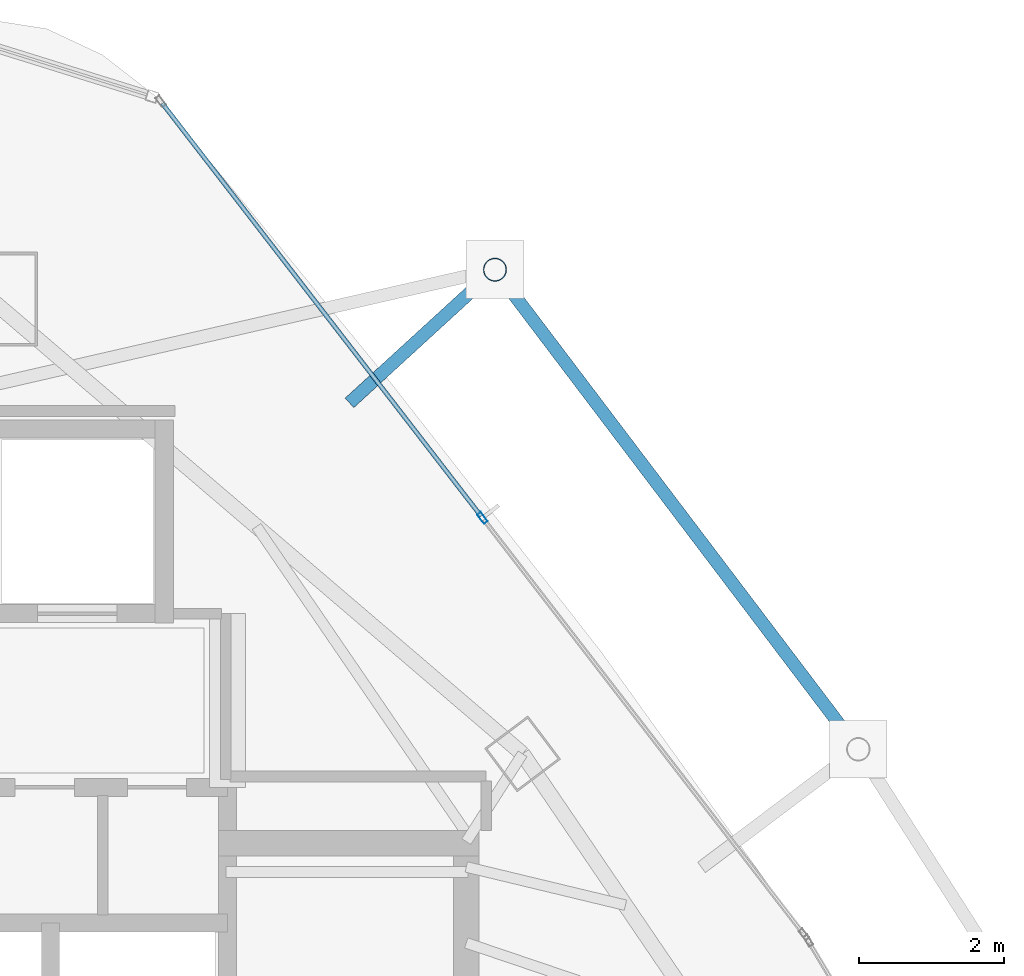
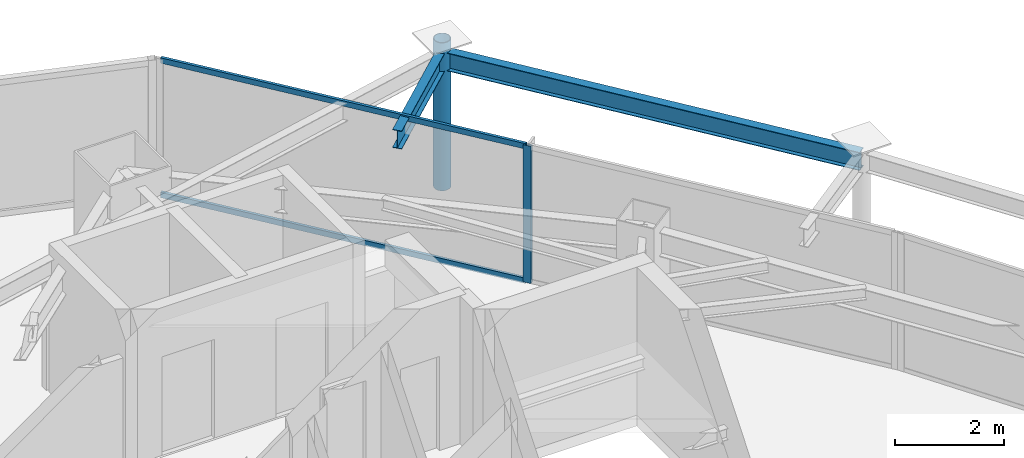
# One storey, part 22 of 29: 4 members, 2 beams, 1 element without a shape of its own.
"""IFC4 building model written with IfcOpenShell, lengths in metres."""

import ifcopenshell
import ifcopenshell.guid

model = None  # the IFC model being written
_history = None  # IfcOwnerHistory: only IFC2X3 demands one
_inside = {}  # id of a spatial element -> (the spatial element, [elements in it])
_under = {}  # id of a project, library or spatial element -> (it, [spatial elements below it])
_declared = {}  # id of a project -> (the project, [libraries it declares])
_typed = {}  # id of a type object -> (the type object, [elements of that type])
_made_of = {}  # id of a material, layer set ... -> (it, [elements and type objects made of it])


def new_model(schema):
    """Start an empty IFC model of exactly this schema.

    Asked for "IFC4X3", IfcOpenShell would pick the latest addendum, in which some entities
    have other attributes; the version numbers below select the first issue.
    IFC2X3 requires an IfcOwnerHistory on every rooted entity: one is made here for all.
    """
    global model, _history
    if schema == "IFC4X3":
        model = ifcopenshell.file(schema_version=(4, 3, 0, 0))
    else:
        model = ifcopenshell.file(schema=schema)
    _inside.clear()
    _under.clear()
    _declared.clear()
    _typed.clear()
    _made_of.clear()
    _history = None
    if model.schema == "IFC2X3":
        org = make("IfcOrganization", Name="unknown")
        user = make(
            "IfcPersonAndOrganization",
            ThePerson=make("IfcPerson", FamilyName="unknown"),
            TheOrganization=org,
        )
        app = make(
            "IfcApplication",
            ApplicationDeveloper=org,
            Version="unknown",
            ApplicationFullName="unknown",
            ApplicationIdentifier="unknown",
        )
        _history = make(
            "IfcOwnerHistory",
            OwningUser=user,
            OwningApplication=app,
            ChangeAction="ADDED",
            CreationDate=0,
        )
    return model


def make(cls, **values):
    """One entity of the class cls with the attributes given. An attribute that is None is left unset."""
    return model.create_entity(
        cls, **{name: value for name, value in values.items() if value is not None}
    )


def rooted(cls, **values):
    """An entity with a GlobalId (a new one), such as an element, a storey or a relation."""
    return make(cls, GlobalId=ifcopenshell.guid.new(), OwnerHistory=_history, **values)


def si_unit(unit_type, name, prefix=None):
    """IfcSIUnit, for example si_unit("LENGTHUNIT", "METRE", prefix="MILLI")."""
    return make("IfcSIUnit", UnitType=unit_type, Prefix=prefix, Name=name)


def assignment(units):
    """IfcUnitAssignment: the units of a project."""
    return None if units is None else make("IfcUnitAssignment", Units=units)


def point(xyz):
    """IfcCartesianPoint."""
    return None if xyz is None else make("IfcCartesianPoint", Coordinates=xyz)


def direction(xyz):
    """IfcDirection."""
    return None if xyz is None else make("IfcDirection", DirectionRatios=xyz)


def frame(location, z_axis=None, x_axis=None):
    """IfcAxis2Placement3D, a coordinate frame: its origin and axes. An axis left out is left unset."""
    return make(
        "IfcAxis2Placement3D",
        Location=point(location),
        Axis=direction(z_axis),
        RefDirection=direction(x_axis),
    )


def frame_2d(location, x_axis=None):
    """IfcAxis2Placement2D, a coordinate frame in the plane: its origin and x axis."""
    return make(
        "IfcAxis2Placement2D", Location=point(location), RefDirection=direction(x_axis)
    )


def origin():
    """The frame at (0, 0, 0) with its axes left unset."""
    return frame((0.0, 0.0, 0.0))


def origin_2d():
    """The frame at (0, 0) in the plane with its x axis left unset."""
    return frame_2d((0.0, 0.0))


def place(relative_to, where):
    """IfcLocalPlacement: puts the frame where relative to a parent placement (None: the world)."""
    return make(
        "IfcLocalPlacement", PlacementRelTo=relative_to, RelativePlacement=where
    )


def context(
    kind, dimensions, precision=None, world=None, true_north=None, identifier=None
):
    """IfcGeometricRepresentationContext, for example the 3D "Model" context."""
    return make(
        "IfcGeometricRepresentationContext",
        ContextIdentifier=identifier,
        ContextType=kind,
        CoordinateSpaceDimension=dimensions,
        Precision=precision,
        WorldCoordinateSystem=world,
        TrueNorth=true_north,
    )


def subcontext(parent, identifier, kind, view, scale=None):
    """IfcGeometricRepresentationSubContext, for example "Body" below "Model"."""
    return make(
        "IfcGeometricRepresentationSubContext",
        ContextIdentifier=identifier,
        ContextType=kind,
        ParentContext=parent,
        TargetScale=scale,
        TargetView=view,
    )


def project(units=None, contexts=None):
    """IfcProject with its units and contexts."""
    return rooted(
        "IfcProject",
        Name="project",
        RepresentationContexts=contexts,
        UnitsInContext=assignment(units),
    )


def spatial(cls, under=None, at=None, **own):
    """A site, building, storey or space (cls), placed at a placement, below another one or the project."""
    s = rooted(cls, ObjectPlacement=at, **own)
    if under is not None:
        _under.setdefault(under.id(), (under, []))[1].append(s)
    return s


def profile(cls, at=None, kind="AREA", **sizes):
    """A parametric profile (cls). Its sizes go by their IFC names, for example OverallWidth=200.0."""
    return make(cls, ProfileType=kind, Position=at, **sizes)


def hollow_rectangle(**sizes):
    """IfcRectangleHollowProfileDef."""
    return profile("IfcRectangleHollowProfileDef", **sizes)


def hollow_circle(**sizes):
    """IfcCircleHollowProfileDef."""
    return profile("IfcCircleHollowProfileDef", **sizes)


def i_section(**sizes):
    """IfcIShapeProfileDef."""
    return profile("IfcIShapeProfileDef", **sizes)


def extrude(swept, where, along, depth):
    """IfcExtrudedAreaSolid: the profile swept, set in the frame where, extruded along a direction by depth."""
    return make(
        "IfcExtrudedAreaSolid",
        SweptArea=swept,
        Position=where,
        ExtrudedDirection=direction(along),
        Depth=depth,
    )


def shape(context_of_items, identifier, shape_type, items):
    """IfcShapeRepresentation: the items that make up one representation, for example the "Body"."""
    return make(
        "IfcShapeRepresentation",
        ContextOfItems=context_of_items,
        RepresentationIdentifier=identifier,
        RepresentationType=shape_type,
        Items=items,
    )


def material(Name=None, Category=None):
    """IfcMaterial."""
    return make("IfcMaterial", Name=Name, Category=Category)


def layer(
    of_material, thickness, ventilated=None, Name=None, Category=None, Priority=None
):
    """IfcMaterialLayer: one layer of a wall or slab, of a material (None: an air gap)."""
    return make(
        "IfcMaterialLayer",
        Material=of_material,
        LayerThickness=thickness,
        IsVentilated=ventilated,
        Name=Name,
        Category=Category,
        Priority=Priority,
    )


def layer_set(layers, Name=None):
    """IfcMaterialLayerSet."""
    return make("IfcMaterialLayerSet", MaterialLayers=layers, LayerSetName=Name)


def material_profile(
    of_material, cross_section, Name=None, Category=None, Priority=None
):
    """IfcMaterialProfile: a cross section and its material."""
    return make(
        "IfcMaterialProfile",
        Name=Name,
        Material=of_material,
        Profile=cross_section,
        Priority=Priority,
        Category=Category,
    )


def profile_set(profiles, Name=None, composite=None):
    """IfcMaterialProfileSet."""
    return make(
        "IfcMaterialProfileSet",
        Name=Name,
        MaterialProfiles=profiles,
        CompositeProfile=composite,
    )


def made_of(thing, what):
    """Note that an element or type object is made of a material, layer set ...; save() writes the relation."""
    if what is not None:
        _made_of.setdefault(what.id(), (what, []))[1].append(thing)
    return thing


def type_object(cls, material=None, **own):
    """A type object (cls), such as IfcWallType, which elements share."""
    return made_of(rooted(cls, **own), material)


def element(
    cls,
    number,
    at=None,
    inside=None,
    cuts=None,
    type_object=None,
    material=None,
    context=None,
    identifier="Body",
    shape_type=None,
    held_by="IfcProductDefinitionShape",
    body=None,
    shapes=None,
    **own,
):
    """One element of the class cls, such as IfcWall. Its Tag is "e" and its number.

    at: its placement. inside: the storey or other place that contains it. cuts: it is an
    opening in that element (IfcRelVoidsElement). A single representation is given by context,
    identifier, shape_type and body (its items); several are given by shapes. held_by: the class
    of the entity that holds the representations. save() writes the other relations.
    """
    e = rooted(cls, Tag="e%d" % number, ObjectPlacement=at, **own)
    if body is not None:
        shapes = [shape(context, identifier, shape_type, body)]
    if shapes is not None:
        e.Representation = make(held_by, Representations=shapes)
    if inside is not None:
        _inside.setdefault(inside.id(), (inside, []))[1].append(e)
    if cuts is not None:
        rooted(
            "IfcRelVoidsElement", RelatingBuildingElement=cuts, RelatedOpeningElement=e
        )
    if type_object is not None:
        _typed.setdefault(type_object.id(), (type_object, []))[1].append(e)
    return made_of(e, material)


def aggregate(whole, parts):
    """IfcRelAggregates: a whole, such as a stair, and the parts it consists of."""
    return rooted("IfcRelAggregates", RelatingObject=whole, RelatedObjects=parts)


def save(model, path):
    """Write the relations noted so far, then the file.

    IfcRelAggregates (storeys below a building ...), IfcRelContainedInSpatialStructure (elements
    in a storey), IfcRelDefinesByType, IfcRelAssociatesMaterial and IfcRelDeclares: one each for
    every whole, place, type object, material and project.
    """
    for whole, parts in _under.values():
        aggregate(whole, parts)
    for where, things in _inside.values():
        rooted(
            "IfcRelContainedInSpatialStructure",
            RelatedElements=things,
            RelatingStructure=where,
        )
    for kind, things in _typed.values():
        rooted("IfcRelDefinesByType", RelatedObjects=things, RelatingType=kind)
    for what, things in _made_of.values():
        rooted("IfcRelAssociatesMaterial", RelatedObjects=things, RelatingMaterial=what)
    for by, libraries in _declared.values():
        rooted("IfcRelDeclares", RelatingContext=by, RelatedDefinitions=libraries)
    model.write(path)


model = new_model("IFC4")

# Units and contexts
model_context = context("Model", 3, precision=1e-05, world=origin(), true_north=direction((0.0, 1.0)))
body_context = subcontext(model_context, "Body", "Model", "MODEL_VIEW")
ifc_project = project(units=[si_unit("LENGTHUNIT", "METRE"), si_unit("AREAUNIT", "SQUARE_METRE"), si_unit("VOLUMEUNIT", "CUBIC_METRE"), si_unit("PLANEANGLEUNIT", "RADIAN"), si_unit("MASSUNIT", "GRAM", prefix="KILO")], contexts=[model_context])

# Site, building, storey
site_placement = place(None, origin())
site = spatial("IfcSite", under=ifc_project, at=site_placement, CompositionType="ELEMENT")
building_placement = place(site_placement, origin())
building = spatial("IfcBuilding", under=site, at=building_placement, Name="Orvanel Arch Residences", CompositionType="ELEMENT")
storey_placement = place(building_placement, frame((0.0, 0.0, 246.949951171875)))
storey = spatial("IfcBuildingStorey", under=building, at=storey_placement, Name="L70", CompositionType="ELEMENT", Elevation=246.949951171875)

# Curtain wall, member
ifc_material_1 = material(Name="Bronze-anodised aluminium AA6063-T6", Category="aluminium")
ifc_layer = layer(ifc_material_1, 0.175048828125)
ifc_layer_set = layer_set([ifc_layer], Name="Bronze-anodised aluminium AA6063-T6")
curtain_wall_type = type_object("IfcCurtainWallType", Name="CW4-HI-SYS", PredefinedType="NOTDEFINED", material=ifc_layer_set)
curtain_wall_placement = place(storey_placement, origin())
curtain_wall = element("IfcCurtainWall", 1, at=curtain_wall_placement, inside=storey, type_object=curtain_wall_type, Name="L70 CW4-HI-SYS Unitised Curtain Wall", PredefinedType="NOTDEFINED")
ifc_material_profile_1 = material_profile(ifc_material_1, hollow_rectangle(XDim=0.06494140625, YDim=0.159912109375, WallThickness=0.00390625, at=origin_2d()), Name="ALU160x65x4")
ifc_profile_set_1 = profile_set([ifc_material_profile_1], Name="Bronze-anodised aluminium AA6063-T6")
member_type_1 = type_object("IfcMemberType", Name="MUL-160x65", PredefinedType="MULLION", material=ifc_profile_set_1)
member_1_placement = place(storey_placement, frame((39.798095703125, 38.3740234375, 0.0), z_axis=(0.0, 0.0, 1.0), x_axis=(-0.791477630276, -0.611198135446, 0.0)))
member_1 = element("IfcMember", 2, at=member_1_placement, type_object=member_type_1, Name="CW-S4 mullion 2", PredefinedType="MULLION", context=body_context, shape_type="SweptSolid", body=[
    extrude(hollow_rectangle(XDim=0.06494140625, YDim=0.159912109375, WallThickness=0.00390625, at=origin_2d()), origin(), (0.0, 0.0, 1.0), 3.06005859375),
])

# Beams
ifc_material_2 = material(Name="Structural steel AS/NZS 3679.1 Grade 300 (300 MPa)", Category="steel")
ifc_material_profile_2 = material_profile(ifc_material_2, i_section(OverallWidth=0.177978515625, OverallDepth=0.406005859375, WebThickness=0.0078125, FlangeThickness=0.0126953125, at=origin_2d()), Name="410UB59.7")
ifc_profile_set_2 = profile_set([ifc_material_profile_2], Name="Structural steel AS/NZS 3679.1 Grade 300 (300 MPa)")
beam_type = type_object("IfcBeamType", Name="OB-410UB-EXT", PredefinedType="SPANDREL", material=ifc_profile_set_2)
beam_1_placement = place(storey_placement, frame((44.992919921875, 35.176025390625, 2.85693359375), z_axis=(-0.60386334005, 0.797087866263, 0.0), x_axis=(-0.797087866263, -0.60386334005, 0.0)))
element("IfcBeam", 3, at=beam_1_placement, inside=storey, type_object=beam_type, Name="L70 Outer Perimeter Floor Ring Beam 11", PredefinedType="SPANDREL", context=body_context, shape_type="SweptSolid", body=[
    extrude(i_section(OverallWidth=0.177978515625, OverallDepth=0.406005859375, WebThickness=0.0078125, FlangeThickness=0.0126953125, at=origin_2d()), origin(), (0.0, 0.0, 1.0), 8.31640625),
])
beam_2_placement = place(storey_placement, frame((37.9599609375, 39.964111328125, 2.85693359375), z_axis=(0.737626042593, 0.675209464751, 0.0), x_axis=(-0.675209464751, 0.737626042593, 0.0)))
element("IfcBeam", 4, at=beam_2_placement, inside=storey, type_object=beam_type, Name="L70 Outer Frame Radial Tie Beam 12", PredefinedType="SPANDREL", context=body_context, shape_type="SweptSolid", body=[
    extrude(i_section(OverallWidth=0.177978515625, OverallDepth=0.406005859375, WebThickness=0.0078125, FlangeThickness=0.0126953125, at=origin_2d()), origin(), (0.0, 0.0, 1.0), 2.726318359375),
])

# Member
ifc_material_3 = material(Name="Structural steel AS/NZS 1163 C350L0 (Grade 350)", Category="steel")
ifc_material_profile_3 = material_profile(ifc_material_3, hollow_circle(Radius=0.162109375, WallThickness=0.0126953125, at=origin_2d()), Name="CHS324x12.7")
ifc_profile_set_3 = profile_set([ifc_material_profile_3], Name="Structural steel AS/NZS 1163 C350L0 (Grade 350)")
member_type_2 = type_object("IfcMemberType", Name="ST-324CHS-EXT", PredefinedType="STRUT", material=ifc_profile_set_3)
member_2_placement = place(storey_placement, frame((39.970947265625, 41.804931640625, 0.0), z_axis=(0.0, 0.0, 1.0), x_axis=(1.0, 0.0, 0.0)))
element("IfcMember", 5, at=member_2_placement, inside=storey, type_object=member_type_2, Name="L70 Outer Perimeter Frame Post 12", PredefinedType="STRUT", context=body_context, shape_type="SweptSolid", body=[
    extrude(hollow_circle(Radius=0.162109375, WallThickness=0.0126953125, at=origin_2d()), origin(), (0.0, 0.0, 1.0), 3.300048828125),
])

ifc_material_profile_4 = material_profile(ifc_material_1, hollow_rectangle(XDim=0.06005859375, YDim=0.1201171875, WallThickness=0.00341796875, at=origin_2d()), Name="ALU120x60x3.5")
ifc_profile_set_4 = profile_set([ifc_material_profile_4], Name="Bronze-anodised aluminium AA6063-T6")
member_type_3 = type_object("IfcMemberType", Name="TRN-120x60", PredefinedType="USERDEFINED", material=ifc_profile_set_4)
member_3_placement = place(storey_placement, frame((39.778076171875, 38.399658203125, 0.030029296875), z_axis=(-0.611186219607, 0.791486831831, 0.0), x_axis=(-0.791486831831, -0.611186219607, 0.0)))
member_3 = element("IfcMember", 6, at=member_3_placement, type_object=member_type_3, Name="CW-S4 transom 2.1", ObjectType="TRANSOM", PredefinedType="USERDEFINED", context=body_context, shape_type="SweptSolid", body=[
    extrude(hollow_rectangle(XDim=0.06005859375, YDim=0.1201171875, WallThickness=0.00341796875, at=origin_2d()), origin(), (0.0, 0.0, 1.0), 7.207763671875),
])

member_4_placement = place(storey_placement, frame((39.778076171875, 38.399658203125, 3.030029296875), z_axis=(-0.611186219607, 0.791486831831, 0.0), x_axis=(-0.791486831831, -0.611186219607, 0.0)))
member_4 = element("IfcMember", 7, at=member_4_placement, type_object=member_type_3, Name="CW-S4 transom 2.2", ObjectType="TRANSOM", PredefinedType="USERDEFINED", context=body_context, shape_type="SweptSolid", body=[
    extrude(hollow_rectangle(XDim=0.06005859375, YDim=0.1201171875, WallThickness=0.00341796875, at=origin_2d()), origin(), (0.0, 0.0, 1.0), 7.207763671875),
])

aggregate(curtain_wall, [member_1, member_3, member_4])

save(model, "model.ifc")
